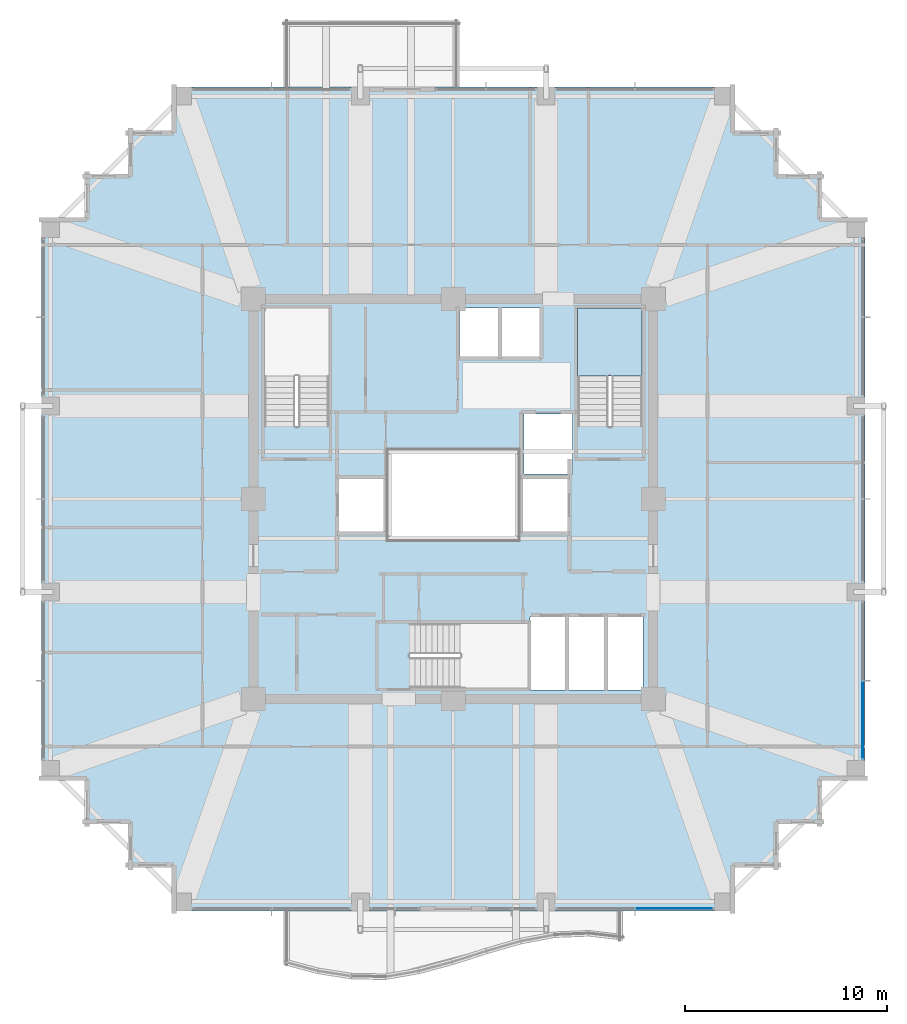
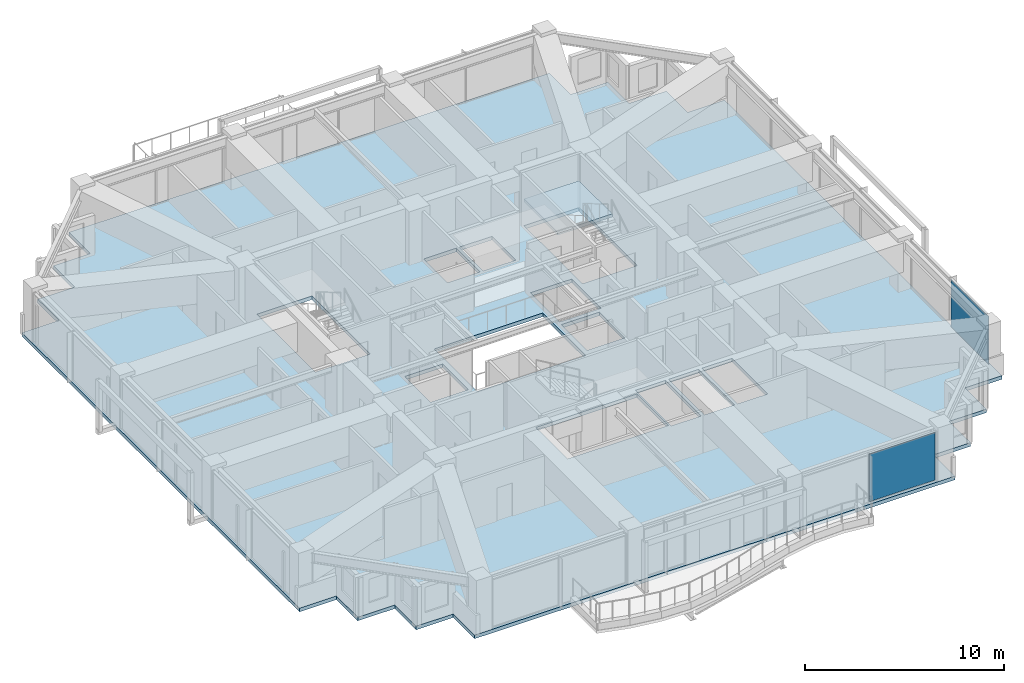
# One storey, part 27 of 37: 2 plates, 2 slabs, 3 elements without a shape of their own.
"""IFC4 building model written with IfcOpenShell, lengths in metres."""

from ifc_helpers import new_model, si_unit, direction, frame, origin, origin_2d, place, context, subcontext, project, spatial, polyline, rectangle, outline, extrude, material, layer, layer_set, type_object, element, aggregate, save


model = new_model("IFC4")

# Units and contexts
model_context = context("Model", 3, precision=1e-05, world=origin(), true_north=direction((0.0, 1.0)))
body_context = subcontext(model_context, "Body", "Model", "MODEL_VIEW")
ifc_project = project(units=[si_unit("LENGTHUNIT", "METRE"), si_unit("AREAUNIT", "SQUARE_METRE"), si_unit("VOLUMEUNIT", "CUBIC_METRE"), si_unit("PLANEANGLEUNIT", "RADIAN"), si_unit("MASSUNIT", "GRAM", prefix="KILO")], contexts=[model_context])

# Site, building, storey
site_placement = place(None, origin())
site = spatial("IfcSite", under=ifc_project, at=site_placement, CompositionType="ELEMENT")
building_placement = place(site_placement, origin())
building = spatial("IfcBuilding", under=site, at=building_placement, Name="Kolvaren Belvedere", CompositionType="ELEMENT")
storey_placement = place(building_placement, frame((0.0, 0.0, 186.60009765625)))
storey = spatial("IfcBuildingStorey", under=building, at=storey_placement, Name="L54", CompositionType="ELEMENT", Elevation=186.60009765625)

# Curtain wall, plate
ifc_material_1 = material(Name="Anodised pale-metal aluminium AA 6063-T6", Category="aluminium")
curtain_wall_type = type_object("IfcCurtainWallType", Name="CW-Z5-HIGH", PredefinedType="NOTDEFINED", material=ifc_material_1)
curtain_wall_1_placement = place(storey_placement, origin())
curtain_wall_1 = element("IfcCurtainWall", 1, at=curtain_wall_1_placement, inside=storey, type_object=curtain_wall_type, Name="L54 Unitised Curtain Wall FCW-L54-S1-B1", PredefinedType="NOTDEFINED")
ifc_material_2 = material(Name="Low-iron triple insulated glass", Category="glass")
ifc_layer_1 = layer(ifc_material_2, 0.028076171875)
ifc_layer_set_1 = layer_set([ifc_layer_1], Name="Low-iron triple insulated glass")
plate_type = type_object("IfcPlateType", Name="CW-PNL-VIS28", PredefinedType="CURTAIN_PANEL", material=ifc_layer_set_1)
plate_1_placement = place(storey_placement, frame((10.947509765625, -20.280029296875, 0.079833984375), z_axis=(0.0, 0.0, 1.0), x_axis=(-1.0, 0.0, 0.0)))
plate_1 = element("IfcPlate", 2, at=plate_1_placement, type_object=plate_type, Name="FCW-L54-S1-B1 Vision Glazing Panel 1", PredefinedType="CURTAIN_PANEL", context=body_context, shape_type="SweptSolid", body=[
    extrude(rectangle(XDim=3.81494140625, YDim=0.028076171875, at=origin_2d()), origin(), (0.0, 0.0, 1.0), 2.919921875),
])
aggregate(curtain_wall_1, [plate_1])

curtain_wall_2_placement = place(storey_placement, origin())
curtain_wall_2 = element("IfcCurtainWall", 3, at=curtain_wall_2_placement, inside=storey, type_object=curtain_wall_type, Name="L54 Unitised Curtain Wall FCW-L54-E-B3", PredefinedType="NOTDEFINED")
plate_2_placement = place(storey_placement, frame((20.280029296875, -10.947509765625, 0.079833984375), z_axis=(0.0, 0.0, 1.0), x_axis=(0.0, -1.0, 0.0)))
plate_2 = element("IfcPlate", 4, at=plate_2_placement, type_object=plate_type, Name="FCW-L54-E-B3 Vision Glazing Panel 2", PredefinedType="CURTAIN_PANEL", context=body_context, shape_type="SweptSolid", body=[
    extrude(rectangle(XDim=3.81494140625, YDim=0.028076171875, at=origin_2d()), origin(), (0.0, 0.0, 1.0), 2.919921875),
])
aggregate(curtain_wall_2, [plate_2])

# Slab
ifc_material_3 = material(Name="Concrete C50/60", Category="concrete")
ifc_layer_2 = layer(ifc_material_3, 0.219970703125)
ifc_layer_set_2 = layer_set([ifc_layer_2], Name="Concrete C50/60")
slab_type_1 = type_object("IfcSlabType", Name="SL-FLR-220", PredefinedType="FLOOR", material=ifc_layer_set_2)
slab_1_placement = place(storey_placement, frame((0.0, 0.0, -0.22021484375)))
element("IfcSlab", 5, at=slab_1_placement, inside=storey, type_object=slab_type_1, Name="L54 Primary Structural Slab", PredefinedType="FLOOR", context=body_context, shape_type="SweptSolid", body=[
    extrude(outline(polyline([(-13.949951171875, -20.39990234375), (13.949951171875, -20.39990234375), (13.949951171875, -18.25), (16.10009765625, -18.25), (16.10009765625, -16.10009765625), (18.25, -16.10009765625), (18.25, -13.949951171875), (20.39990234375, -13.949951171875), (20.39990234375, 13.949951171875), (18.25, 13.949951171875), (18.25, 16.10009765625), (16.10009765625, 16.10009765625), (16.10009765625, 18.25), (13.949951171875, 18.25), (13.949951171875, 20.39990234375), (-13.949951171875, 20.39990234375), (-13.949951171875, 18.25), (-16.10009765625, 18.25), (-16.10009765625, 16.10009765625), (-18.25, 16.10009765625), (-18.25, 13.949951171875), (-20.39990234375, 13.949951171875), (-20.39990234375, -13.949951171875), (-18.25, -13.949951171875), (-18.25, -16.10009765625), (-16.10009765625, -16.10009765625), (-16.10009765625, -18.25), (-13.949951171875, -18.25), (-13.949951171875, -20.39990234375)]), holes=[polyline([(-9.35009765625, 3.580078125), (-6.159912109375, 3.580078125), (-6.159912109375, 9.449951171875), (-9.35009765625, 9.449951171875), (-9.35009765625, 3.580078125)]), polyline([(6.159912109375, 3.580078125), (9.35009765625, 3.580078125), (9.35009765625, 9.449951171875), (6.159912109375, 9.449951171875), (6.159912109375, 3.580078125)]), polyline([(-2.169921875, -9.35009765625), (3.699951171875, -9.35009765625), (3.699951171875, -6.159912109375), (-2.169921875, -6.159912109375), (-2.169921875, -9.35009765625)]), polyline([(-5.64990234375, -1.60009765625), (-3.449951171875, -1.60009765625), (-3.449951171875, 1.0), (-5.64990234375, 1.0), (-5.64990234375, -1.60009765625)]), polyline([(3.5, 1.25), (5.89990234375, 1.25), (5.89990234375, 4.199951171875), (3.5, 4.199951171875), (3.5, 1.25)]), polyline([(3.449951171875, -1.60009765625), (5.64990234375, -1.60009765625), (5.64990234375, 1.0), (3.449951171875, 1.0), (3.449951171875, -1.60009765625)]), polyline([(3.7900390625, -9.449951171875), (5.5400390625, -9.449951171875), (5.5400390625, -5.85009765625), (3.7900390625, -5.85009765625), (3.7900390625, -9.449951171875)]), polyline([(5.719970703125, -9.449951171875), (7.469970703125, -9.449951171875), (7.469970703125, -5.85009765625), (5.719970703125, -5.85009765625), (5.719970703125, -9.449951171875)]), polyline([(7.64990234375, -9.449951171875), (9.39990234375, -9.449951171875), (9.39990234375, -5.85009765625), (7.64990234375, -5.85009765625), (7.64990234375, -9.449951171875)]), polyline([(0.320068359375, 7.050048828125), (2.219970703125, 7.050048828125), (2.219970703125, 9.449951171875), (0.320068359375, 9.449951171875), (0.320068359375, 7.050048828125)]), polyline([(2.39990234375, 7.050048828125), (4.300048828125, 7.050048828125), (4.300048828125, 9.449951171875), (2.39990234375, 9.449951171875), (2.39990234375, 7.050048828125)]), polyline([(-3.14990234375, -1.949951171875), (3.14990234375, -1.949951171875), (3.14990234375, 2.35009765625), (-3.14990234375, 2.35009765625), (-3.14990234375, -1.949951171875)])]), origin(), (0.0, 0.0, 1.0), 0.22021484375),
])

# Stair, slab
ifc_material_4 = material(Name="Concrete C50/60", Category="concrete")
stair_type = type_object("IfcStairType", Name="ST-CORE-1520", PredefinedType="HALF_TURN_STAIR", material=ifc_material_4)
stair_placement = place(storey_placement, origin())
stair = element("IfcStair", 6, at=stair_placement, inside=storey, type_object=stair_type, Name="L54 Protected Exit Stair ST-2", PredefinedType="HALF_TURN_STAIR")
ifc_material_5 = material(Name="Concrete C50/60", Category="concrete")
ifc_layer_3 = layer(ifc_material_5, 0.260009765625)
ifc_layer_set_3 = layer_set([ifc_layer_3], Name="Concrete C50/60")
slab_type_2 = type_object("IfcSlabType", Name="SL-LAND-260", PredefinedType="LANDING", material=ifc_layer_set_3)
slab_2_placement = place(storey_placement, frame((0.0, 0.0, 1.449951171875)))
slab_2 = element("IfcSlab", 7, at=slab_2_placement, type_object=slab_type_2, Name="ST-2 landing 1", PredefinedType="LANDING", context=body_context, shape_type="SweptSolid", body=[
    extrude(outline(polyline([(9.35009765625, 6.090087890625), (9.35009765625, 9.449951171875), (6.159912109375, 9.449951171875), (6.159912109375, 6.090087890625), (9.35009765625, 6.090087890625)])), origin(), (0.0, 0.0, 1.0), 0.199951171875),
])
aggregate(stair, [slab_2])

save(model, "model.ifc")
